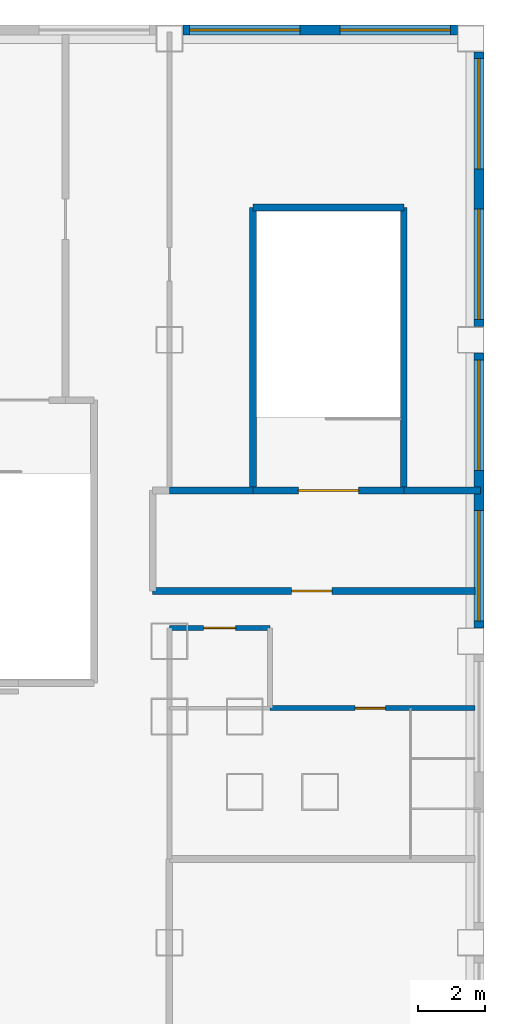
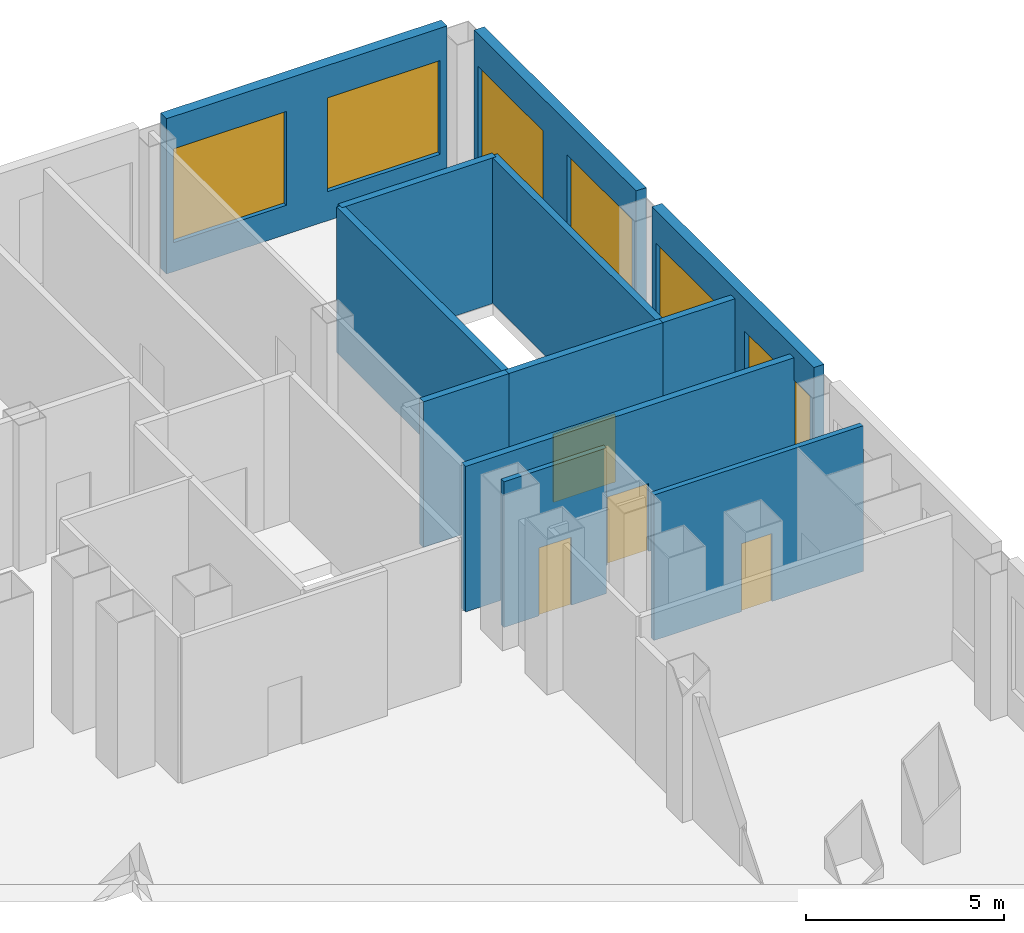
# One storey, part 8 of 13: 12 walls, 6 windows, 4 doors, 10 openings.
"""IFC4 building model written with IfcOpenShell, lengths in metres."""

from ifc_helpers import new_model, si_unit, direction, frame, frame_2d, origin, place, context, subcontext, project, spatial, rectangle, extrude, material, layer, layer_set, type_object, element, fill, save


model = new_model("IFC4")

# Units and contexts
model_context = context("Model", 3, precision=1e-05, world=origin(), true_north=direction((0.0, 1.0)))
body_context = subcontext(model_context, "Body", "Model", "MODEL_VIEW")
ifc_project = project(units=[si_unit("LENGTHUNIT", "METRE"), si_unit("AREAUNIT", "SQUARE_METRE"), si_unit("VOLUMEUNIT", "CUBIC_METRE"), si_unit("PLANEANGLEUNIT", "RADIAN"), si_unit("MASSUNIT", "GRAM", prefix="KILO")], contexts=[model_context])

# Site, building, storey
site_placement = place(None, origin())
site = spatial("IfcSite", under=ifc_project, at=site_placement, CompositionType="ELEMENT")
building_placement = place(site_placement, origin())
building = spatial("IfcBuilding", under=site, at=building_placement, Name="Caravel Reach Hotel and Residences", CompositionType="ELEMENT")
storey_placement = place(building_placement, frame((0.0, 0.0, 28.800048828125)))
storey = spatial("IfcBuildingStorey", under=building, at=storey_placement, Name="L05", CompositionType="ELEMENT", Elevation=28.800048828125)

# Wall, opening, door
ifc_material_1 = material(Name="Autoclaved aerated block wall")
ifc_layer_1 = layer(ifc_material_1, 0.199951171875)
ifc_layer_set_1 = layer_set([ifc_layer_1], Name="Compartment wall 200 mm EI 120")
wall_type_1 = type_object("IfcWallType", Name="Compartment wall 200 mm EI 120", PredefinedType="PARTITIONING", material=ifc_layer_set_1)
wall_1_placement = place(storey_placement, frame((58.0, 37.5, 0.0), z_axis=(0.0, 0.0, 1.0), x_axis=(1.0, 0.0, 0.0)))
wall_1 = element("IfcWall", 1, at=wall_1_placement, inside=storey, type_object=wall_type_1, Name="L05 wall w051", PredefinedType="PARTITIONING", context=body_context, shape_type="SweptSolid", body=[
    extrude(rectangle(XDim=9.6201171875, YDim=0.199951171875, at=frame_2d((4.81005859375, 0.0))), origin(), (0.0, 0.0, 1.0), 4.5),
])
opening_1_placement = place(wall_1_placement, frame((4.14990234375, 0.0, 0.0)))
opening_1 = element("IfcOpeningElement", 2, at=opening_1_placement, cuts=wall_1, Name="Opening D05-024", PredefinedType="OPENING", context=body_context, shape_type="SweptSolid", body=[
    extrude(rectangle(XDim=1.199951171875, YDim=2.10009765625, at=frame_2d((0.60009765625, 1.050048828125))), frame((0.0, 0.10986328125, 0.0), z_axis=(0.0, -1.0, 0.0), x_axis=(1.0, 0.0, 0.0)), (0.0, 0.0, 1.0), 0.219970703125),
])
ifc_material_2 = material(Name="Steel fire door leaf", Category="steel")
door_type_1 = type_object("IfcDoorType", Name="Fire lobby door 1200 x 2100 EI 90", OperationType="SINGLE_SWING_LEFT", PredefinedType="DOOR", material=ifc_material_2)
door_1_placement = place(opening_1_placement, origin())
door_1 = element("IfcDoor", 3, at=door_1_placement, inside=storey, type_object=door_type_1, Name="door D05-024", OperationType="SINGLE_SWING_RIGHT", OverallHeight=2.10009765625, OverallWidth=1.199951171875, PredefinedType="DOOR", context=body_context, shape_type="SweptSolid", body=[
    extrude(rectangle(XDim=1.199951171875, YDim=2.10009765625, at=frame_2d((0.60009765625, 1.050048828125))), frame((0.0, 0.02490234375, 0.0), z_axis=(0.0, -1.0, 0.0), x_axis=(1.0, 0.0, 0.0)), (0.0, 0.0, 1.0), 0.050048828125),
])
fill(opening_1, door_1)

# Walls
wall_2_placement = place(storey_placement, frame((58.5, 40.5, 0.0), z_axis=(0.0, 0.0, 1.0), x_axis=(1.0, 0.0, 0.0)))
element("IfcWall", 4, at=wall_2_placement, inside=storey, type_object=wall_type_1, Name="L05 wall w058", PredefinedType="PARTITIONING", context=body_context, shape_type="SweptSolid", body=[
    extrude(rectangle(XDim=2.5, YDim=0.199951171875, at=frame_2d((1.25, 0.0))), origin(), (0.0, 0.0, 1.0), 4.5),
])
wall_3_placement = place(storey_placement, frame((65.5, 40.5, 0.0), z_axis=(0.0, 0.0, 1.0), x_axis=(1.0, 0.0, 0.0)))
element("IfcWall", 5, at=wall_3_placement, inside=storey, type_object=wall_type_1, Name="L05 wall w059", PredefinedType="PARTITIONING", context=body_context, shape_type="SweptSolid", body=[
    extrude(rectangle(XDim=2.2900390625, YDim=0.199951171875, at=frame_2d((1.14501953125, 0.0))), origin(), (0.0, 0.0, 1.0), 4.5),
])

# Wall, opening, door
ifc_material_3 = material(Name="Gypsum board on steel stud, fire-rated", Category="steel")
ifc_layer_2 = layer(ifc_material_3, 0.14990234375)
ifc_layer_set_2 = layer_set([ifc_layer_2], Name="Corridor wall 150 mm EI 60")
wall_type_2 = type_object("IfcWallType", Name="Corridor wall 150 mm EI 60", PredefinedType="PARTITIONING", material=ifc_layer_set_2)
wall_4_placement = place(storey_placement, frame((61.5, 34.0, 0.0), z_axis=(0.0, 0.0, 1.0), x_axis=(1.0, 0.0, 0.0)))
wall_4 = element("IfcWall", 6, at=wall_4_placement, inside=storey, type_object=wall_type_2, Name="L05 wall w004", PredefinedType="PARTITIONING", context=body_context, shape_type="SweptSolid", body=[
    extrude(rectangle(XDim=6.1201171875, YDim=0.14990234375, at=frame_2d((3.06005859375, 0.0))), origin(), (0.0, 0.0, 1.0), 4.5),
])
opening_2_placement = place(wall_4_placement, frame((2.550048828125, 0.0, 0.0)))
opening_2 = element("IfcOpeningElement", 7, at=opening_2_placement, cuts=wall_4, Name="Opening D05-035", PredefinedType="OPENING", context=body_context, shape_type="SweptSolid", body=[
    extrude(rectangle(XDim=0.89990234375, YDim=2.10009765625, at=frame_2d((0.449951171875, 1.050048828125))), frame((0.0, 0.0849609375, 0.0), z_axis=(0.0, -1.0, 0.0), x_axis=(1.0, 0.0, 0.0)), (0.0, 0.0, 1.0), 0.169921875),
])
ifc_material_4 = material(Name="Timber and steel door leaf", Category="steel")
door_type_2 = type_object("IfcDoorType", Name="Door 900 x 2100 timber", OperationType="SINGLE_SWING_LEFT", PredefinedType="DOOR", material=ifc_material_4)
door_2_placement = place(opening_2_placement, origin())
door_2 = element("IfcDoor", 8, at=door_2_placement, inside=storey, type_object=door_type_2, Name="door D05-035", OperationType="SINGLE_SWING_RIGHT", OverallHeight=2.10009765625, OverallWidth=0.89990234375, PredefinedType="DOOR", context=body_context, shape_type="SweptSolid", body=[
    extrude(rectangle(XDim=0.89990234375, YDim=2.10009765625, at=frame_2d((0.449951171875, 1.050048828125))), frame((0.0, 0.02490234375, 0.0), z_axis=(0.0, -1.0, 0.0), x_axis=(1.0, 0.0, 0.0)), (0.0, 0.0, 1.0), 0.050048828125),
])
fill(opening_2, door_2)

wall_5_placement = place(storey_placement, frame((58.5, 36.39990234375, 0.0), z_axis=(0.0, 0.0, 1.0), x_axis=(1.0, 0.0, 0.0)))
wall_5 = element("IfcWall", 9, at=wall_5_placement, inside=storey, type_object=wall_type_2, Name="L05 wall w007", PredefinedType="PARTITIONING", context=body_context, shape_type="SweptSolid", body=[
    extrude(rectangle(XDim=3.0, YDim=0.14990234375, at=frame_2d((1.5, 0.0))), origin(), (0.0, 0.0, 1.0), 4.5),
])
opening_3_placement = place(wall_5_placement, frame((1.02490234375, 0.0, 0.0)))
opening_3 = element("IfcOpeningElement", 10, at=opening_3_placement, cuts=wall_5, Name="Opening D05-036", PredefinedType="OPENING", context=body_context, shape_type="SweptSolid", body=[
    extrude(rectangle(XDim=0.949951171875, YDim=2.10009765625, at=frame_2d((0.47509765625, 1.050048828125))), frame((0.0, 0.0849609375, 0.0), z_axis=(0.0, -1.0, 0.0), x_axis=(1.0, 0.0, 0.0)), (0.0, 0.0, 1.0), 0.169921875),
])
ifc_material_5 = material(Name="Timber and steel door leaf", Category="steel")
door_type_3 = type_object("IfcDoorType", Name="Accessible WC door 950 x 2100", OperationType="SINGLE_SWING_LEFT", PredefinedType="DOOR", material=ifc_material_5)
door_3_placement = place(opening_3_placement, origin())
door_3 = element("IfcDoor", 11, at=door_3_placement, inside=storey, type_object=door_type_3, Name="door D05-036", OperationType="SINGLE_SWING_RIGHT", OverallHeight=2.10009765625, OverallWidth=0.949951171875, PredefinedType="DOOR", context=body_context, shape_type="SweptSolid", body=[
    extrude(rectangle(XDim=0.949951171875, YDim=2.10009765625, at=frame_2d((0.47509765625, 1.050048828125))), frame((0.0, 0.02490234375, 0.0), z_axis=(0.0, -1.0, 0.0), x_axis=(1.0, 0.0, 0.0)), (0.0, 0.0, 1.0), 0.050048828125),
])
fill(opening_3, door_3)

# Wall, openings, windows
ifc_material_6 = material(Name="Insulated wall, stone cladding", Category="masonry")
ifc_layer_3 = layer(ifc_material_6, 0.300048828125)
ifc_layer_set_3 = layer_set([ifc_layer_3], Name="EW2 Podium stone-clad wall")
wall_type_3 = type_object("IfcWallType", Name="EW2 Podium stone-clad wall", PredefinedType="SOLIDWALL", material=ifc_layer_set_3)
wall_6_placement = place(storey_placement, frame((67.75, 36.39990234375, 0.0), z_axis=(0.0, 0.0, 1.0), x_axis=(0.0, 1.0, 0.0)))
wall_6 = element("IfcWall", 12, at=wall_6_placement, inside=storey, type_object=wall_type_3, Name="External wall L05 E1.5", PredefinedType="SOLIDWALL", context=body_context, shape_type="SweptSolid", body=[
    extrude(rectangle(XDim=8.2001953125, YDim=0.300048828125, at=frame_2d((4.10009765625, 0.0))), origin(), (0.0, 0.0, 1.0), 4.800048828125),
])
opening_4_placement = place(wall_6_placement, frame((0.199951171875, 0.0, 0.89990234375)))
opening_4 = element("IfcOpeningElement", 13, at=opening_4_placement, cuts=wall_6, Name="Opening WN32", PredefinedType="OPENING", context=body_context, shape_type="SweptSolid", body=[
    extrude(rectangle(XDim=3.300048828125, YDim=2.89990234375, at=frame_2d((1.64990234375, 1.449951171875))), frame((0.0, 0.159912109375, 0.0), z_axis=(0.0, -1.0, 0.0), x_axis=(1.0, 0.0, 0.0)), (0.0, 0.0, 1.0), 0.320068359375),
])
opening_5_placement = place(wall_6_placement, frame((4.699951171875, 0.0, 0.89990234375)))
opening_5 = element("IfcOpeningElement", 14, at=opening_5_placement, cuts=wall_6, Name="Opening WN32", PredefinedType="OPENING", context=body_context, shape_type="SweptSolid", body=[
    extrude(rectangle(XDim=3.300048828125, YDim=2.89990234375, at=frame_2d((1.64990234375, 1.449951171875))), frame((0.0, 0.159912109375, 0.0), z_axis=(0.0, -1.0, 0.0), x_axis=(1.0, 0.0, 0.0)), (0.0, 0.0, 1.0), 0.320068359375),
])
ifc_material_7 = material(Name="Dark low-e glazing in black aluminium frame", Category="aluminium")
window_type = type_object("IfcWindowType", Name="Podium window 3300 x 2900", PartitioningType="SINGLE_PANEL", PredefinedType="WINDOW", material=ifc_material_7)
window_1_placement = place(opening_4_placement, origin())
window_1 = element("IfcWindow", 15, at=window_1_placement, inside=storey, type_object=window_type, Name="Window L05 E1.5.1", OverallHeight=2.89990234375, OverallWidth=3.300048828125, PartitioningType="SINGLE_PANEL", PredefinedType="WINDOW", context=body_context, shape_type="SweptSolid", body=[
    extrude(rectangle(XDim=3.300048828125, YDim=2.89990234375, at=frame_2d((1.64990234375, 1.449951171875))), frame((0.0, 0.030029296875, 0.0), z_axis=(0.0, -1.0, 0.0), x_axis=(1.0, 0.0, 0.0)), (0.0, 0.0, 1.0), 0.06005859375),
])
fill(opening_4, window_1)
window_2_placement = place(opening_5_placement, origin())
window_2 = element("IfcWindow", 16, at=window_2_placement, inside=storey, type_object=window_type, Name="Window L05 E1.5.2", OverallHeight=2.89990234375, OverallWidth=3.300048828125, PartitioningType="SINGLE_PANEL", PredefinedType="WINDOW", context=body_context, shape_type="SweptSolid", body=[
    extrude(rectangle(XDim=3.300048828125, YDim=2.89990234375, at=frame_2d((1.64990234375, 1.449951171875))), frame((0.0, 0.030029296875, 0.0), z_axis=(0.0, -1.0, 0.0), x_axis=(1.0, 0.0, 0.0)), (0.0, 0.0, 1.0), 0.06005859375),
])
fill(opening_5, window_2)

wall_7_placement = place(storey_placement, frame((67.75, 45.39990234375, 0.0), z_axis=(0.0, 0.0, 1.0), x_axis=(0.0, 1.0, 0.0)))
wall_7 = element("IfcWall", 17, at=wall_7_placement, inside=storey, type_object=wall_type_3, Name="External wall L05 E1.6", PredefinedType="SOLIDWALL", context=body_context, shape_type="SweptSolid", body=[
    extrude(rectangle(XDim=8.2001953125, YDim=0.300048828125, at=frame_2d((4.10009765625, 0.0))), origin(), (0.0, 0.0, 1.0), 4.800048828125),
])
opening_6_placement = place(wall_7_placement, frame((0.199951171875, 0.0, 0.89990234375)))
opening_6 = element("IfcOpeningElement", 18, at=opening_6_placement, cuts=wall_7, Name="Opening WN32", PredefinedType="OPENING", context=body_context, shape_type="SweptSolid", body=[
    extrude(rectangle(XDim=3.300048828125, YDim=2.89990234375, at=frame_2d((1.64990234375, 1.449951171875))), frame((0.0, 0.159912109375, 0.0), z_axis=(0.0, -1.0, 0.0), x_axis=(1.0, 0.0, 0.0)), (0.0, 0.0, 1.0), 0.320068359375),
])
opening_7_placement = place(wall_7_placement, frame((4.699951171875, 0.0, 0.89990234375)))
opening_7 = element("IfcOpeningElement", 19, at=opening_7_placement, cuts=wall_7, Name="Opening WN32", PredefinedType="OPENING", context=body_context, shape_type="SweptSolid", body=[
    extrude(rectangle(XDim=3.300048828125, YDim=2.89990234375, at=frame_2d((1.64990234375, 1.449951171875))), frame((0.0, 0.159912109375, 0.0), z_axis=(0.0, -1.0, 0.0), x_axis=(1.0, 0.0, 0.0)), (0.0, 0.0, 1.0), 0.320068359375),
])
window_3_placement = place(opening_6_placement, origin())
window_3 = element("IfcWindow", 20, at=window_3_placement, inside=storey, type_object=window_type, Name="Window L05 E1.6.1", OverallHeight=2.89990234375, OverallWidth=3.300048828125, PartitioningType="SINGLE_PANEL", PredefinedType="WINDOW", context=body_context, shape_type="SweptSolid", body=[
    extrude(rectangle(XDim=3.300048828125, YDim=2.89990234375, at=frame_2d((1.64990234375, 1.449951171875))), frame((0.0, 0.030029296875, 0.0), z_axis=(0.0, -1.0, 0.0), x_axis=(1.0, 0.0, 0.0)), (0.0, 0.0, 1.0), 0.06005859375),
])
fill(opening_6, window_3)
window_4_placement = place(opening_7_placement, origin())
window_4 = element("IfcWindow", 21, at=window_4_placement, inside=storey, type_object=window_type, Name="Window L05 E1.6.2", OverallHeight=2.89990234375, OverallWidth=3.300048828125, PartitioningType="SINGLE_PANEL", PredefinedType="WINDOW", context=body_context, shape_type="SweptSolid", body=[
    extrude(rectangle(XDim=3.300048828125, YDim=2.89990234375, at=frame_2d((1.64990234375, 1.449951171875))), frame((0.0, 0.030029296875, 0.0), z_axis=(0.0, -1.0, 0.0), x_axis=(1.0, 0.0, 0.0)), (0.0, 0.0, 1.0), 0.06005859375),
])
fill(opening_7, window_4)

wall_8_placement = place(storey_placement, frame((67.10009765625, 54.25, 0.0), z_axis=(0.0, 0.0, 1.0), x_axis=(-1.0, 0.0, 0.0)))
wall_8 = element("IfcWall", 22, at=wall_8_placement, inside=storey, type_object=wall_type_3, Name="External wall L05 N2.1", PredefinedType="SOLIDWALL", context=body_context, shape_type="SweptSolid", body=[
    extrude(rectangle(XDim=8.2001953125, YDim=0.300048828125, at=frame_2d((4.10009765625, 0.0))), origin(), (0.0, 0.0, 1.0), 4.800048828125),
])
opening_8_placement = place(wall_8_placement, frame((0.199951171875, 0.0, 0.89990234375)))
opening_8 = element("IfcOpeningElement", 23, at=opening_8_placement, cuts=wall_8, Name="Opening WN32", PredefinedType="OPENING", context=body_context, shape_type="SweptSolid", body=[
    extrude(rectangle(XDim=3.300048828125, YDim=2.89990234375, at=frame_2d((1.64990234375, 1.449951171875))), frame((0.0, 0.159912109375, 0.0), z_axis=(0.0, -1.0, 0.0), x_axis=(1.0, 0.0, 0.0)), (0.0, 0.0, 1.0), 0.320068359375),
])
opening_9_placement = place(wall_8_placement, frame((4.699951171875, 0.0, 0.89990234375)))
opening_9 = element("IfcOpeningElement", 24, at=opening_9_placement, cuts=wall_8, Name="Opening WN32", PredefinedType="OPENING", context=body_context, shape_type="SweptSolid", body=[
    extrude(rectangle(XDim=3.300048828125, YDim=2.89990234375, at=frame_2d((1.64990234375, 1.449951171875))), frame((0.0, 0.159912109375, 0.0), z_axis=(0.0, -1.0, 0.0), x_axis=(1.0, 0.0, 0.0)), (0.0, 0.0, 1.0), 0.320068359375),
])
window_5_placement = place(opening_8_placement, origin())
window_5 = element("IfcWindow", 25, at=window_5_placement, inside=storey, type_object=window_type, Name="Window L05 N2.1.1", OverallHeight=2.89990234375, OverallWidth=3.300048828125, PartitioningType="SINGLE_PANEL", PredefinedType="WINDOW", context=body_context, shape_type="SweptSolid", body=[
    extrude(rectangle(XDim=3.300048828125, YDim=2.89990234375, at=frame_2d((1.64990234375, 1.449951171875))), frame((0.0, 0.030029296875, 0.0), z_axis=(0.0, -1.0, 0.0), x_axis=(1.0, 0.0, 0.0)), (0.0, 0.0, 1.0), 0.06005859375),
])
fill(opening_8, window_5)
window_6_placement = place(opening_9_placement, origin())
window_6 = element("IfcWindow", 26, at=window_6_placement, inside=storey, type_object=window_type, Name="Window L05 N2.1.2", OverallHeight=2.89990234375, OverallWidth=3.300048828125, PartitioningType="SINGLE_PANEL", PredefinedType="WINDOW", context=body_context, shape_type="SweptSolid", body=[
    extrude(rectangle(XDim=3.300048828125, YDim=2.89990234375, at=frame_2d((1.64990234375, 1.449951171875))), frame((0.0, 0.030029296875, 0.0), z_axis=(0.0, -1.0, 0.0), x_axis=(1.0, 0.0, 0.0)), (0.0, 0.0, 1.0), 0.06005859375),
])
fill(opening_9, window_6)

# Wall, opening, door
ifc_material_8 = material(Name="Concrete C60", Category="concrete")
ifc_layer_4 = layer(ifc_material_8, 0.199951171875)
ifc_layer_set_4 = layer_set([ifc_layer_4], Name="Stair enclosure wall 200 mm EI 120")
wall_type_4 = type_object("IfcWallType", Name="Stair enclosure wall 200 mm EI 120", PredefinedType="SHEAR", material=ifc_layer_set_4)
wall_9_placement = place(storey_placement, frame((61.0, 40.5, 0.0), z_axis=(0.0, 0.0, 1.0), x_axis=(1.0, 0.0, 0.0)))
wall_9 = element("IfcWall", 27, at=wall_9_placement, inside=storey, type_object=wall_type_4, Name="L05 wall w095", PredefinedType="SHEAR", context=body_context, shape_type="SweptSolid", body=[
    extrude(rectangle(XDim=4.5, YDim=0.199951171875, at=frame_2d((2.25, 0.0))), origin(), (0.0, 0.0, 1.0), 4.5),
])
opening_10_placement = place(wall_9_placement, frame((1.35009765625, 0.0, 0.0)))
opening_10 = element("IfcOpeningElement", 28, at=opening_10_placement, cuts=wall_9, Name="Opening D05-025", PredefinedType="OPENING", context=body_context, shape_type="SweptSolid", body=[
    extrude(rectangle(XDim=1.800048828125, YDim=2.10009765625, at=frame_2d((0.89990234375, 1.050048828125))), frame((0.0, 0.10986328125, 0.0), z_axis=(0.0, -1.0, 0.0), x_axis=(1.0, 0.0, 0.0)), (0.0, 0.0, 1.0), 0.219970703125),
])
ifc_material_9 = material(Name="Steel fire door leaf", Category="steel")
door_type_4 = type_object("IfcDoorType", Name="Stair door pair 1800 x 2100 EI 90", OperationType="DOUBLE_DOOR_SINGLE_SWING", PredefinedType="DOOR", material=ifc_material_9)
door_4_placement = place(opening_10_placement, origin())
door_4 = element("IfcDoor", 29, at=door_4_placement, inside=storey, type_object=door_type_4, Name="door D05-025", OperationType="DOUBLE_DOOR_SINGLE_SWING", OverallHeight=2.10009765625, OverallWidth=1.800048828125, PredefinedType="DOOR", context=body_context, shape_type="SweptSolid", body=[
    extrude(rectangle(XDim=1.800048828125, YDim=2.10009765625, at=frame_2d((0.89990234375, 1.050048828125))), frame((0.0, 0.02490234375, 0.0), z_axis=(0.0, -1.0, 0.0), x_axis=(1.0, 0.0, 0.0)), (0.0, 0.0, 1.0), 0.050048828125),
])
fill(opening_10, door_4)

# Walls
wall_10_placement = place(storey_placement, frame((61.0, 48.949951171875, 0.0), z_axis=(0.0, 0.0, 1.0), x_axis=(1.0, 0.0, 0.0)))
element("IfcWall", 30, at=wall_10_placement, inside=storey, type_object=wall_type_4, Name="L05 wall w103", PredefinedType="SHEAR", context=body_context, shape_type="SweptSolid", body=[
    extrude(rectangle(XDim=4.5, YDim=0.199951171875, at=frame_2d((2.25, 0.0))), origin(), (0.0, 0.0, 1.0), 4.5),
])
for number, where, z_axis, x_axis, name in (
    (31, (61.0, 40.5, 0.0), (0.0, 0.0, 1.0), (0.0, 1.0, 0.0), "L05 wall w118"),
    (32, (65.5, 40.5, 0.0), (0.0, 0.0, 1.0), (0.0, 1.0, 0.0), "L05 wall w120"),
):
    element("IfcWall", number, at=place(storey_placement, frame(where, z_axis=z_axis, x_axis=x_axis)), inside=storey, type_object=wall_type_4, Name=name, PredefinedType="SHEAR", context=body_context, shape_type="SweptSolid", body=[
        extrude(rectangle(XDim=8.449951171875, YDim=0.199951171875, at=frame_2d((4.22509765625, 0.0))), origin(), (0.0, 0.0, 1.0), 4.5),
    ])

save(model, "model.ifc")
